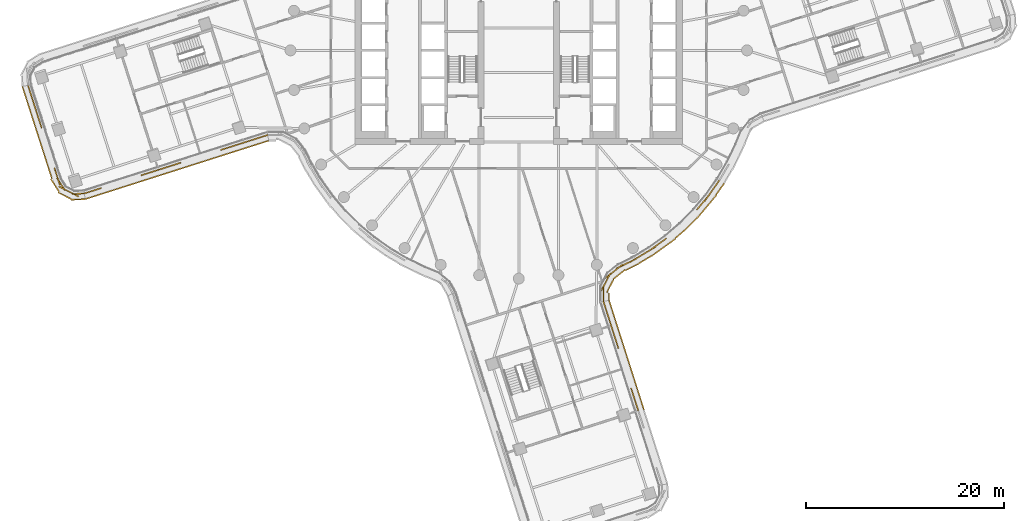
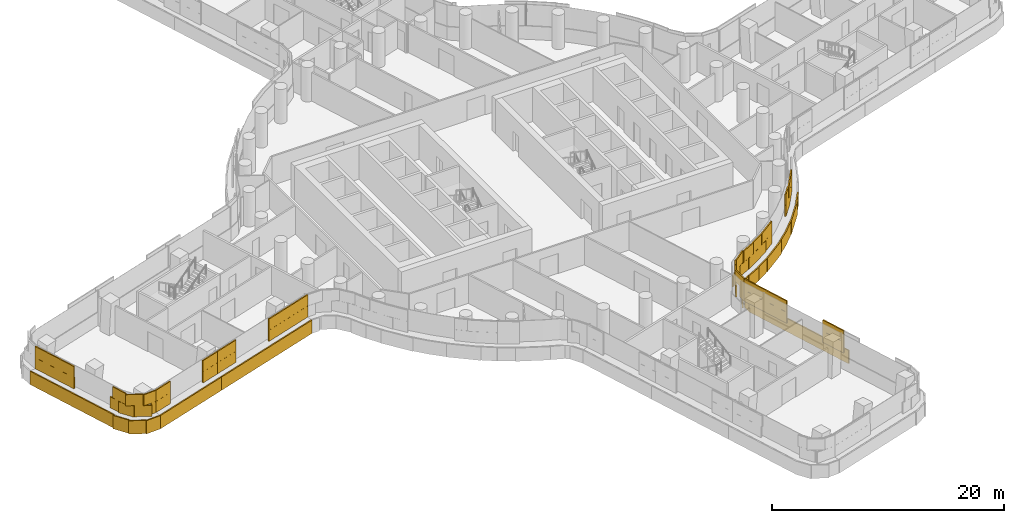
# One storey, part 25 of 30: 5 coverings.
"""IFC4 building model written with IfcOpenShell, lengths in metres."""

from ifc_helpers import new_model, si_unit, direction, frame, origin, origin_2d, place, context, subcontext, project, spatial, rectangle, extrude, material, layer, layer_set, type_object, element, save


model = new_model("IFC4")

# Units and contexts
model_context = context("Model", 3, precision=1e-05, world=origin(), true_north=direction((0.0, 1.0)))
body_context = subcontext(model_context, "Body", "Model", "MODEL_VIEW")
ifc_project = project(units=[si_unit("LENGTHUNIT", "METRE"), si_unit("AREAUNIT", "SQUARE_METRE"), si_unit("VOLUMEUNIT", "CUBIC_METRE"), si_unit("PLANEANGLEUNIT", "RADIAN"), si_unit("MASSUNIT", "GRAM", prefix="KILO")], contexts=[model_context])

# Site, building, storey
site_placement = place(None, origin())
site = spatial("IfcSite", under=ifc_project, at=site_placement, CompositionType="ELEMENT")
building_placement = place(site_placement, origin())
building = spatial("IfcBuilding", under=site, at=building_placement, Name="Tamarind Cross Interchange Tower", CompositionType="ELEMENT")
storey_placement = place(building_placement, frame((0.0, 0.0, 98.5)))
storey = spatial("IfcBuildingStorey", under=building, at=storey_placement, Name="L23", CompositionType="ELEMENT", Elevation=98.5)

# Coverings
ifc_material = material(Name="Terracotta", Category="masonry")
ifc_layer = layer(ifc_material, 0.1201171875)
ifc_layer_set = layer_set([ifc_layer], Name="Terracotta")
covering_type = type_object("IfcCoveringType", Name="Terracotta baguette screen unit", PredefinedType="MOLDING", material=ifc_layer_set)
covering_1_placement = place(storey_placement, origin())
element("IfcCovering", 1, at=covering_1_placement, inside=storey, type_object=covering_type, Name="SCR-L23-08-00", PredefinedType="MOLDING", context=body_context, shape_type="SweptSolid", body=[
    extrude(rectangle(XDim=0.760009765625, YDim=0.1201171875, at=origin_2d()), frame((-49.3388671875, -3.888427734375, 1.404052734375), z_axis=(0.0, 0.0, 1.0), x_axis=(0.305057113111, -0.95233405785, 0.0)), (0.0, 0.0, 1.0), 1.1669921875),
    extrude(rectangle(XDim=1.52001953125, YDim=0.1201171875, at=origin_2d()), frame((-48.99560546875, -4.959716796875, 1.404052734375), z_axis=(0.0, 0.0, 1.0), x_axis=(0.305057113111, -0.95233405785, 0.0)), (0.0, 0.0, 1.0), 1.1669921875),
    extrude(rectangle(XDim=1.52001953125, YDim=0.1201171875, at=origin_2d()), frame((-48.5380859375, -6.38818359375, 1.404052734375), z_axis=(0.0, 0.0, 1.0), x_axis=(0.305057113111, -0.95233405785, 0.0)), (0.0, 0.0, 1.0), 1.1669921875),
    extrude(rectangle(XDim=0.784912109375, YDim=0.1201171875, at=origin_2d()), frame((-48.191162109375, -7.471435546875, 1.404052734375), z_axis=(0.0, 0.0, 1.0), x_axis=(0.305057113111, -0.95233405785, 0.0)), (0.0, 0.0, 1.0), 1.1669921875),
    extrude(rectangle(XDim=1.03515625, YDim=0.1201171875, at=origin_2d()), frame((-46.63525390625, -12.328369140625, 1.404052734375), z_axis=(0.0, 0.0, 1.0), x_axis=(0.305057113111, -0.95233405785, 0.0)), (0.0, 0.0, 1.0), 1.1669921875),
    extrude(rectangle(XDim=1.52001953125, YDim=0.1201171875, at=origin_2d()), frame((-46.1376953125, -13.477783203125, 1.404052734375), z_axis=(0.0, 0.0, 1.0), x_axis=(0.541144735519, -0.840929471014, 0.0)), (0.0, 0.0, 1.0), 1.1669921875),
    extrude(rectangle(XDim=1.52001953125, YDim=0.1201171875, at=origin_2d()), frame((-45.010986328125, -14.392333984375, 1.404052734375), z_axis=(0.0, 0.0, 1.0), x_axis=(0.889109823591, -0.45769391693, 0.0)), (0.0, 0.0, 1.0), 1.1669921875),
    extrude(rectangle(XDim=0.509521484375, YDim=0.1201171875, at=origin_2d()), frame((-44.031982421875, -14.434326171875, 1.404052734375), z_axis=(0.0, 0.0, 1.0), x_axis=(0.998838652449, 0.048180352576, 0.0)), (0.0, 0.0, 1.0), 1.1669921875),
    extrude(rectangle(XDim=1.510009765625, YDim=0.1201171875, at=origin_2d()), frame((-49.224365234375, -4.24560546875, 2.5791015625), z_axis=(0.0, 0.0, 1.0), x_axis=(0.305057113111, -0.95233405785, 0.0)), (0.0, 0.0, 1.0), 1.1669921875),
    extrude(rectangle(XDim=1.52001953125, YDim=0.1201171875, at=origin_2d()), frame((-48.766845703125, -5.674072265625, 2.5791015625), z_axis=(0.0, 0.0, 1.0), x_axis=(0.305057113111, -0.95233405785, 0.0)), (0.0, 0.0, 1.0), 1.1669921875),
    extrude(rectangle(XDim=1.52001953125, YDim=0.1201171875, at=origin_2d()), frame((-48.309326171875, -7.1025390625, 2.5791015625), z_axis=(0.0, 0.0, 1.0), x_axis=(0.305057113111, -0.95233405785, 0.0)), (0.0, 0.0, 1.0), 1.1669921875),
    extrude(rectangle(XDim=1.52001953125, YDim=0.1201171875, at=origin_2d()), frame((-46.47900390625, -12.816650390625, 2.5791015625), z_axis=(0.0, 0.0, 1.0), x_axis=(0.305057113111, -0.95233405785, 0.0)), (0.0, 0.0, 1.0), 1.1669921875),
    extrude(rectangle(XDim=1.52001953125, YDim=0.1201171875, at=origin_2d()), frame((-45.677978515625, -14.049072265625, 2.5791015625), z_axis=(0.0, 0.0, 1.0), x_axis=(0.889109823591, -0.45769391693, 0.0)), (0.0, 0.0, 1.0), 1.1669921875),
    extrude(rectangle(XDim=1.259521484375, YDim=0.1201171875, at=origin_2d()), frame((-44.406494140625, -14.452392578125, 2.5791015625), z_axis=(0.0, 0.0, 1.0), x_axis=(0.998838652449, 0.048180352576, 0.0)), (0.0, 0.0, 1.0), 1.1669921875),
    extrude(rectangle(XDim=0.760009765625, YDim=0.1201171875, at=origin_2d()), frame((-49.906982421875, -3.996337890625, 0.00390625), z_axis=(0.0, 0.0, 1.0), x_axis=(0.305057113111, -0.95233405785, 0.0)), (0.0, 0.0, 1.0), 1.39208984375),
    extrude(rectangle(XDim=1.52001953125, YDim=0.1201171875, at=origin_2d()), frame((-49.5654296875, -5.06298828125, 0.00390625), z_axis=(0.0, 0.0, 1.0), x_axis=(0.305057113111, -0.95233405785, 0.0)), (0.0, 0.0, 1.0), 1.39208984375),
    extrude(rectangle(XDim=1.52001953125, YDim=0.1201171875, at=origin_2d()), frame((-49.10791015625, -6.491455078125, 0.00390625), z_axis=(0.0, 0.0, 1.0), x_axis=(0.305057113111, -0.95233405785, 0.0)), (0.0, 0.0, 1.0), 1.39208984375),
    extrude(rectangle(XDim=1.52001953125, YDim=0.1201171875, at=origin_2d()), frame((-48.650146484375, -7.919921875, 0.00390625), z_axis=(0.0, 0.0, 1.0), x_axis=(0.305057113111, -0.95233405785, 0.0)), (0.0, 0.0, 1.0), 1.39208984375),
    extrude(rectangle(XDim=1.52001953125, YDim=0.1201171875, at=origin_2d()), frame((-48.192626953125, -9.348388671875, 0.00390625), z_axis=(0.0, 0.0, 1.0), x_axis=(0.305057113111, -0.95233405785, 0.0)), (0.0, 0.0, 1.0), 1.39208984375),
    extrude(rectangle(XDim=1.52001953125, YDim=0.1201171875, at=origin_2d()), frame((-47.735107421875, -10.77685546875, 0.00390625), z_axis=(0.0, 0.0, 1.0), x_axis=(0.305057113111, -0.95233405785, 0.0)), (0.0, 0.0, 1.0), 1.39208984375),
    extrude(rectangle(XDim=1.52001953125, YDim=0.1201171875, at=origin_2d()), frame((-47.27734375, -12.205322265625, 0.00390625), z_axis=(0.0, 0.0, 1.0), x_axis=(0.305057113111, -0.95233405785, 0.0)), (0.0, 0.0, 1.0), 1.39208984375),
    extrude(rectangle(XDim=1.52001953125, YDim=0.1201171875, at=origin_2d()), frame((-46.7431640625, -13.59765625, 0.00390625), z_axis=(0.0, 0.0, 1.0), x_axis=(0.541144735519, -0.840929471014, 0.0)), (0.0, 0.0, 1.0), 1.39208984375),
    extrude(rectangle(XDim=1.52001953125, YDim=0.1201171875, at=origin_2d()), frame((-45.748779296875, -14.657958984375, 0.00390625), z_axis=(0.0, 0.0, 1.0), x_axis=(0.889109823591, -0.45769391693, 0.0)), (0.0, 0.0, 1.0), 1.39208984375),
    extrude(rectangle(XDim=1.4267578125, YDim=0.1201171875, at=origin_2d()), frame((-44.392333984375, -15.0263671875, 0.00390625), z_axis=(0.0, 0.0, 1.0), x_axis=(0.998838652449, 0.048180352576, 0.0)), (0.0, 0.0, 1.0), 1.39208984375),
])
covering_2_placement = place(storey_placement, origin())
element("IfcCovering", 2, at=covering_2_placement, inside=storey, type_object=covering_type, Name="SCR-L23-09-00", PredefinedType="MOLDING", context=body_context, shape_type="SweptSolid", body=[
    extrude(rectangle(XDim=0.760009765625, YDim=0.1201171875, at=origin_2d()), frame((-43.42529296875, -14.308349609375, 1.404052734375), z_axis=(0.0, 0.0, 1.0), x_axis=(0.952773264992, 0.303682573614, 0.0)), (0.0, 0.0, 1.0), 1.1669921875),
    extrude(rectangle(XDim=1.075439453125, YDim=0.1201171875, at=origin_2d()), frame((-42.560302734375, -14.03271484375, 1.404052734375), z_axis=(0.0, 0.0, 1.0), x_axis=(0.952773264992, 0.303682573614, 0.0)), (0.0, 0.0, 1.0), 1.1669921875),
    extrude(rectangle(XDim=0.744384765625, YDim=0.1201171875, at=origin_2d()), frame((-37.701171875, -12.484130859375, 1.404052734375), z_axis=(0.0, 0.0, 1.0), x_axis=(0.952773264992, 0.303682573614, 0.0)), (0.0, 0.0, 1.0), 1.1669921875),
    extrude(rectangle(XDim=1.091064453125, YDim=0.1201171875, at=origin_2d()), frame((-36.836181640625, -12.208251953125, 1.404052734375), z_axis=(0.0, 0.0, 1.0), x_axis=(0.952773264992, 0.303682573614, 0.0)), (0.0, 0.0, 1.0), 1.1669921875),
    extrude(rectangle(XDim=1.510009765625, YDim=0.1201171875, at=origin_2d()), frame((-43.06787109375, -14.194580078125, 2.5791015625), z_axis=(0.0, 0.0, 1.0), x_axis=(0.952773264992, 0.303682573614, 0.0)), (0.0, 0.0, 1.0), 1.1669921875),
    extrude(rectangle(XDim=0.325439453125, YDim=0.1201171875, at=origin_2d()), frame((-42.203125, -13.9189453125, 2.5791015625), z_axis=(0.0, 0.0, 1.0), x_axis=(0.952773264992, 0.303682573614, 0.0)), (0.0, 0.0, 1.0), 1.1669921875),
    extrude(rectangle(XDim=1.494384765625, YDim=0.1201171875, at=origin_2d()), frame((-37.343994140625, -12.3701171875, 2.5791015625), z_axis=(0.0, 0.0, 1.0), x_axis=(0.952773264992, 0.303682573614, 0.0)), (0.0, 0.0, 1.0), 1.1669921875),
    extrude(rectangle(XDim=0.341064453125, YDim=0.1201171875, at=origin_2d()), frame((-36.47900390625, -12.094482421875, 2.5791015625), z_axis=(0.0, 0.0, 1.0), x_axis=(0.952773264992, 0.303682573614, 0.0)), (0.0, 0.0, 1.0), 1.1669921875),
    extrude(rectangle(XDim=0.760009765625, YDim=0.1201171875, at=origin_2d()), frame((-43.317626953125, -14.876708984375, 0.00390625), z_axis=(0.0, 0.0, 1.0), x_axis=(0.952773264992, 0.303682573614, 0.0)), (0.0, 0.0, 1.0), 1.39208984375),
    extrude(rectangle(XDim=1.52001953125, YDim=0.1201171875, at=origin_2d()), frame((-42.25048828125, -14.53662109375, 0.00390625), z_axis=(0.0, 0.0, 1.0), x_axis=(0.952773264992, 0.303682573614, 0.0)), (0.0, 0.0, 1.0), 1.39208984375),
    extrude(rectangle(XDim=1.52001953125, YDim=0.1201171875, at=origin_2d()), frame((-40.821533203125, -14.0810546875, 0.00390625), z_axis=(0.0, 0.0, 1.0), x_axis=(0.952773264992, 0.303682573614, 0.0)), (0.0, 0.0, 1.0), 1.39208984375),
    extrude(rectangle(XDim=1.52001953125, YDim=0.1201171875, at=origin_2d()), frame((-39.392333984375, -13.62548828125, 0.00390625), z_axis=(0.0, 0.0, 1.0), x_axis=(0.952773264992, 0.303682573614, 0.0)), (0.0, 0.0, 1.0), 1.39208984375),
    extrude(rectangle(XDim=1.52001953125, YDim=0.1201171875, at=origin_2d()), frame((-37.963134765625, -13.169921875, 0.00390625), z_axis=(0.0, 0.0, 1.0), x_axis=(0.952773264992, 0.303682573614, 0.0)), (0.0, 0.0, 1.0), 1.39208984375),
    extrude(rectangle(XDim=1.085205078125, YDim=0.1201171875, at=origin_2d()), frame((-36.740966796875, -12.780517578125, 0.00390625), z_axis=(0.0, 0.0, 1.0), x_axis=(0.952773264992, 0.303682573614, 0.0)), (0.0, 0.0, 1.0), 1.39208984375),
])
covering_3_placement = place(storey_placement, origin())
element("IfcCovering", 3, at=covering_3_placement, inside=storey, type_object=covering_type, Name="SCR-L23-09-01", PredefinedType="MOLDING", context=body_context, shape_type="SweptSolid", body=[
    extrude(rectangle(XDim=0.428955078125, YDim=0.1201171875, at=origin_2d()), frame((-36.121826171875, -11.98046875, 1.404052734375), z_axis=(0.0, 0.0, 1.0), x_axis=(0.952773264992, 0.303682573614, 0.0)), (0.0, 0.0, 1.0), 1.1669921875),
    extrude(rectangle(XDim=1.52001953125, YDim=0.1201171875, at=origin_2d()), frame((-35.20751953125, -11.689208984375, 1.404052734375), z_axis=(0.0, 0.0, 1.0), x_axis=(0.952773264992, 0.303682573614, 0.0)), (0.0, 0.0, 1.0), 1.1669921875),
    extrude(rectangle(XDim=0.490478515625, YDim=0.1201171875, at=origin_2d()), frame((-34.26416015625, -11.388427734375, 1.404052734375), z_axis=(0.0, 0.0, 1.0), x_axis=(0.952773264992, 0.303682573614, 0.0)), (0.0, 0.0, 1.0), 1.1669921875),
    extrude(rectangle(XDim=1.32958984375, YDim=0.1201171875, at=origin_2d()), frame((-29.40478515625, -9.839599609375, 1.404052734375), z_axis=(0.0, 0.0, 1.0), x_axis=(0.952773264992, 0.303682573614, 0.0)), (0.0, 0.0, 1.0), 1.1669921875),
    extrude(rectangle(XDim=1.52001953125, YDim=0.1201171875, at=origin_2d()), frame((-28.061767578125, -9.41162109375, 1.404052734375), z_axis=(0.0, 0.0, 1.0), x_axis=(0.952773264992, 0.303682573614, 0.0)), (0.0, 0.0, 1.0), 1.1669921875),
    extrude(rectangle(XDim=1.52001953125, YDim=0.1201171875, at=origin_2d()), frame((-26.632568359375, -8.9560546875, 1.404052734375), z_axis=(0.0, 0.0, 1.0), x_axis=(0.952773264992, 0.303682573614, 0.0)), (0.0, 0.0, 1.0), 1.1669921875),
    extrude(rectangle(XDim=0.67138671875, YDim=0.1201171875, at=origin_2d()), frame((-25.602783203125, -8.6279296875, 1.404052734375), z_axis=(0.0, 0.0, 1.0), x_axis=(0.952773264992, 0.303682573614, 0.0)), (0.0, 0.0, 1.0), 1.1669921875),
    extrude(rectangle(XDim=1.178955078125, YDim=0.1201171875, at=origin_2d()), frame((-35.764404296875, -11.86669921875, 2.5791015625), z_axis=(0.0, 0.0, 1.0), x_axis=(0.952773264992, 0.303682573614, 0.0)), (0.0, 0.0, 1.0), 1.1669921875),
    extrude(rectangle(XDim=1.240478515625, YDim=0.1201171875, at=origin_2d()), frame((-34.621337890625, -11.50244140625, 2.5791015625), z_axis=(0.0, 0.0, 1.0), x_axis=(0.952773264992, 0.303682573614, 0.0)), (0.0, 0.0, 1.0), 1.1669921875),
    extrude(rectangle(XDim=0.57958984375, YDim=0.1201171875, at=origin_2d()), frame((-29.76220703125, -9.95361328125, 2.5791015625), z_axis=(0.0, 0.0, 1.0), x_axis=(0.952773264992, 0.303682573614, 0.0)), (0.0, 0.0, 1.0), 1.1669921875),
    extrude(rectangle(XDim=1.52001953125, YDim=0.1201171875, at=origin_2d()), frame((-28.7763671875, -9.639404296875, 2.5791015625), z_axis=(0.0, 0.0, 1.0), x_axis=(0.952773264992, 0.303682573614, 0.0)), (0.0, 0.0, 1.0), 1.1669921875),
    extrude(rectangle(XDim=1.52001953125, YDim=0.1201171875, at=origin_2d()), frame((-27.34716796875, -9.183837890625, 2.5791015625), z_axis=(0.0, 0.0, 1.0), x_axis=(0.952773264992, 0.303682573614, 0.0)), (0.0, 0.0, 1.0), 1.1669921875),
    extrude(rectangle(XDim=1.42138671875, YDim=0.1201171875, at=origin_2d()), frame((-25.960205078125, -8.74169921875, 2.5791015625), z_axis=(0.0, 0.0, 1.0), x_axis=(0.952773264992, 0.303682573614, 0.0)), (0.0, 0.0, 1.0), 1.1669921875),
    extrude(rectangle(XDim=0.434814453125, YDim=0.1201171875, at=origin_2d()), frame((-36.016845703125, -12.549560546875, 0.00390625), z_axis=(0.0, 0.0, 1.0), x_axis=(0.952773264992, 0.303682573614, 0.0)), (0.0, 0.0, 1.0), 1.39208984375),
    extrude(rectangle(XDim=1.52001953125, YDim=0.1201171875, at=origin_2d()), frame((-35.104736328125, -12.2587890625, 0.00390625), z_axis=(0.0, 0.0, 1.0), x_axis=(0.952773264992, 0.303682573614, 0.0)), (0.0, 0.0, 1.0), 1.39208984375),
    extrude(rectangle(XDim=1.52001953125, YDim=0.1201171875, at=origin_2d()), frame((-33.675537109375, -11.803466796875, 0.00390625), z_axis=(0.0, 0.0, 1.0), x_axis=(0.952773264992, 0.303682573614, 0.0)), (0.0, 0.0, 1.0), 1.39208984375),
    extrude(rectangle(XDim=1.52001953125, YDim=0.1201171875, at=origin_2d()), frame((-32.24658203125, -11.347900390625, 0.00390625), z_axis=(0.0, 0.0, 1.0), x_axis=(0.952773264992, 0.303682573614, 0.0)), (0.0, 0.0, 1.0), 1.39208984375),
    extrude(rectangle(XDim=1.52001953125, YDim=0.1201171875, at=origin_2d()), frame((-30.8173828125, -10.892333984375, 0.00390625), z_axis=(0.0, 0.0, 1.0), x_axis=(0.952773264992, 0.303682573614, 0.0)), (0.0, 0.0, 1.0), 1.39208984375),
    extrude(rectangle(XDim=1.52001953125, YDim=0.1201171875, at=origin_2d()), frame((-29.38818359375, -10.436767578125, 0.00390625), z_axis=(0.0, 0.0, 1.0), x_axis=(0.952773264992, 0.303682573614, 0.0)), (0.0, 0.0, 1.0), 1.39208984375),
    extrude(rectangle(XDim=1.52001953125, YDim=0.1201171875, at=origin_2d()), frame((-27.958984375, -9.981201171875, 0.00390625), z_axis=(0.0, 0.0, 1.0), x_axis=(0.952773264992, 0.303682573614, 0.0)), (0.0, 0.0, 1.0), 1.39208984375),
    extrude(rectangle(XDim=1.52001953125, YDim=0.1201171875, at=origin_2d()), frame((-26.52978515625, -9.52587890625, 0.00390625), z_axis=(0.0, 0.0, 1.0), x_axis=(0.952773264992, 0.303682573614, 0.0)), (0.0, 0.0, 1.0), 1.39208984375),
    extrude(rectangle(XDim=0.657470703125, YDim=0.1201171875, at=origin_2d()), frame((-25.51171875, -9.201171875, 0.00390625), z_axis=(0.0, 0.0, 1.0), x_axis=(0.952773264992, 0.303682573614, 0.0)), (0.0, 0.0, 1.0), 1.39208984375),
])
covering_4_placement = place(storey_placement, origin())
element("IfcCovering", 4, at=covering_4_placement, inside=storey, type_object=covering_type, Name="SCR-L23-13-01", PredefinedType="MOLDING", context=body_context, shape_type="SweptSolid", body=[
    extrude(rectangle(XDim=0.428955078125, YDim=0.1201171875, at=origin_2d()), frame((11.98046875, -36.121826171875, 1.404052734375), z_axis=(0.0, 0.0, 1.0), x_axis=(-0.303682573614, 0.952773264992, 0.0)), (0.0, 0.0, 1.0), 1.1669921875),
    extrude(rectangle(XDim=1.52001953125, YDim=0.1201171875, at=origin_2d()), frame((11.689208984375, -35.20751953125, 1.404052734375), z_axis=(0.0, 0.0, 1.0), x_axis=(-0.303682573614, 0.952773264992, 0.0)), (0.0, 0.0, 1.0), 1.1669921875),
    extrude(rectangle(XDim=0.490478515625, YDim=0.1201171875, at=origin_2d()), frame((11.388427734375, -34.26416015625, 1.404052734375), z_axis=(0.0, 0.0, 1.0), x_axis=(-0.303682573614, 0.952773264992, 0.0)), (0.0, 0.0, 1.0), 1.1669921875),
    extrude(rectangle(XDim=1.32958984375, YDim=0.1201171875, at=origin_2d()), frame((9.839599609375, -29.40478515625, 1.404052734375), z_axis=(0.0, 0.0, 1.0), x_axis=(-0.303682573614, 0.952773264992, 0.0)), (0.0, 0.0, 1.0), 1.1669921875),
    extrude(rectangle(XDim=1.52001953125, YDim=0.1201171875, at=origin_2d()), frame((9.41162109375, -28.061767578125, 1.404052734375), z_axis=(0.0, 0.0, 1.0), x_axis=(-0.303682573614, 0.952773264992, 0.0)), (0.0, 0.0, 1.0), 1.1669921875),
    extrude(rectangle(XDim=1.52001953125, YDim=0.1201171875, at=origin_2d()), frame((8.9560546875, -26.632568359375, 1.404052734375), z_axis=(0.0, 0.0, 1.0), x_axis=(-0.303682573614, 0.952773264992, 0.0)), (0.0, 0.0, 1.0), 1.1669921875),
    extrude(rectangle(XDim=0.67138671875, YDim=0.1201171875, at=origin_2d()), frame((8.6279296875, -25.602783203125, 1.404052734375), z_axis=(0.0, 0.0, 1.0), x_axis=(-0.303682573614, 0.952773264992, 0.0)), (0.0, 0.0, 1.0), 1.1669921875),
    extrude(rectangle(XDim=1.178955078125, YDim=0.1201171875, at=origin_2d()), frame((11.86669921875, -35.764404296875, 2.5791015625), z_axis=(0.0, 0.0, 1.0), x_axis=(-0.303682573614, 0.952773264992, 0.0)), (0.0, 0.0, 1.0), 1.1669921875),
    extrude(rectangle(XDim=1.240478515625, YDim=0.1201171875, at=origin_2d()), frame((11.50244140625, -34.621337890625, 2.5791015625), z_axis=(0.0, 0.0, 1.0), x_axis=(-0.303682573614, 0.952773264992, 0.0)), (0.0, 0.0, 1.0), 1.1669921875),
    extrude(rectangle(XDim=0.57958984375, YDim=0.1201171875, at=origin_2d()), frame((9.95361328125, -29.76220703125, 2.5791015625), z_axis=(0.0, 0.0, 1.0), x_axis=(-0.303682573614, 0.952773264992, 0.0)), (0.0, 0.0, 1.0), 1.1669921875),
    extrude(rectangle(XDim=1.52001953125, YDim=0.1201171875, at=origin_2d()), frame((9.639404296875, -28.7763671875, 2.5791015625), z_axis=(0.0, 0.0, 1.0), x_axis=(-0.303682573614, 0.952773264992, 0.0)), (0.0, 0.0, 1.0), 1.1669921875),
    extrude(rectangle(XDim=1.52001953125, YDim=0.1201171875, at=origin_2d()), frame((9.183837890625, -27.34716796875, 2.5791015625), z_axis=(0.0, 0.0, 1.0), x_axis=(-0.303682573614, 0.952773264992, 0.0)), (0.0, 0.0, 1.0), 1.1669921875),
    extrude(rectangle(XDim=1.42138671875, YDim=0.1201171875, at=origin_2d()), frame((8.74169921875, -25.960205078125, 2.5791015625), z_axis=(0.0, 0.0, 1.0), x_axis=(-0.303682573614, 0.952773264992, 0.0)), (0.0, 0.0, 1.0), 1.1669921875),
    extrude(rectangle(XDim=0.434814453125, YDim=0.1201171875, at=origin_2d()), frame((12.549560546875, -36.016845703125, 0.00390625), z_axis=(0.0, 0.0, 1.0), x_axis=(-0.303682573614, 0.952773264992, 0.0)), (0.0, 0.0, 1.0), 1.39208984375),
    extrude(rectangle(XDim=1.52001953125, YDim=0.1201171875, at=origin_2d()), frame((12.2587890625, -35.104736328125, 0.00390625), z_axis=(0.0, 0.0, 1.0), x_axis=(-0.303682573614, 0.952773264992, 0.0)), (0.0, 0.0, 1.0), 1.39208984375),
    extrude(rectangle(XDim=1.52001953125, YDim=0.1201171875, at=origin_2d()), frame((11.803466796875, -33.675537109375, 0.00390625), z_axis=(0.0, 0.0, 1.0), x_axis=(-0.303682573614, 0.952773264992, 0.0)), (0.0, 0.0, 1.0), 1.39208984375),
    extrude(rectangle(XDim=1.52001953125, YDim=0.1201171875, at=origin_2d()), frame((11.347900390625, -32.24658203125, 0.00390625), z_axis=(0.0, 0.0, 1.0), x_axis=(-0.303682573614, 0.952773264992, 0.0)), (0.0, 0.0, 1.0), 1.39208984375),
    extrude(rectangle(XDim=1.52001953125, YDim=0.1201171875, at=origin_2d()), frame((10.892333984375, -30.8173828125, 0.00390625), z_axis=(0.0, 0.0, 1.0), x_axis=(-0.303682573614, 0.952773264992, 0.0)), (0.0, 0.0, 1.0), 1.39208984375),
    extrude(rectangle(XDim=1.52001953125, YDim=0.1201171875, at=origin_2d()), frame((10.436767578125, -29.38818359375, 0.00390625), z_axis=(0.0, 0.0, 1.0), x_axis=(-0.303682573614, 0.952773264992, 0.0)), (0.0, 0.0, 1.0), 1.39208984375),
    extrude(rectangle(XDim=1.52001953125, YDim=0.1201171875, at=origin_2d()), frame((9.981201171875, -27.958984375, 0.00390625), z_axis=(0.0, 0.0, 1.0), x_axis=(-0.303682573614, 0.952773264992, 0.0)), (0.0, 0.0, 1.0), 1.39208984375),
    extrude(rectangle(XDim=1.52001953125, YDim=0.1201171875, at=origin_2d()), frame((9.52587890625, -26.52978515625, 0.00390625), z_axis=(0.0, 0.0, 1.0), x_axis=(-0.303682573614, 0.952773264992, 0.0)), (0.0, 0.0, 1.0), 1.39208984375),
    extrude(rectangle(XDim=0.657470703125, YDim=0.1201171875, at=origin_2d()), frame((9.201171875, -25.51171875, 0.00390625), z_axis=(0.0, 0.0, 1.0), x_axis=(-0.303682573614, 0.952773264992, 0.0)), (0.0, 0.0, 1.0), 1.39208984375),
])
covering_5_placement = place(storey_placement, origin())
element("IfcCovering", 5, at=covering_5_placement, inside=storey, type_object=covering_type, Name="SCR-L23-14-00", PredefinedType="MOLDING", context=body_context, shape_type="SweptSolid", body=[
    extrude(rectangle(XDim=0.760009765625, YDim=0.1201171875, at=origin_2d()), frame((8.52734375, -24.912841796875, 1.404052734375), z_axis=(0.0, 0.0, 1.0), x_axis=(0.000125567468, 0.999999992116, 0.0)), (0.0, 0.0, 1.0), 1.1669921875),
    extrude(rectangle(XDim=1.52001953125, YDim=0.1201171875, at=origin_2d()), frame((8.539794921875, -23.790771484375, 1.404052734375), z_axis=(0.0, 0.0, 1.0), x_axis=(0.463309652578, 0.886196460063, 0.0)), (0.0, 0.0, 1.0), 1.1669921875),
    extrude(rectangle(XDim=1.52001953125, YDim=0.1201171875, at=origin_2d()), frame((9.291259765625, -22.50830078125, 1.404052734375), z_axis=(0.0, 0.0, 1.0), x_axis=(0.783408467648, 0.621507178412, 0.0)), (0.0, 0.0, 1.0), 1.1669921875),
    extrude(rectangle(XDim=1.52001953125, YDim=0.1201171875, at=origin_2d()), frame((10.51318359375, -21.649658203125, 1.404052734375), z_axis=(0.0, 0.0, 1.0), x_axis=(0.896011305856, 0.444031237389, 0.0)), (0.0, 0.0, 1.0), 1.1669921875),
    extrude(rectangle(XDim=1.52001953125, YDim=0.1201171875, at=origin_2d()), frame((11.843994140625, -20.95947265625, 1.404052734375), z_axis=(0.0, 0.0, 1.0), x_axis=(0.856843065292, 0.515577308909, 0.0)), (0.0, 0.0, 1.0), 1.1669921875),
    extrude(rectangle(XDim=1.52001953125, YDim=0.1201171875, at=origin_2d()), frame((13.129150390625, -20.18603515625, 1.404052734375), z_axis=(0.0, 0.0, 1.0), x_axis=(0.856843065292, 0.515577308909, 0.0)), (0.0, 0.0, 1.0), 1.1669921875),
    extrude(rectangle(XDim=1.400390625, YDim=0.1201171875, at=origin_2d()), frame((14.30859375, -19.351806640625, 1.404052734375), z_axis=(0.0, 0.0, 1.0), x_axis=(0.811340475102, 0.584573890505, 0.0)), (0.0, 0.0, 1.0), 1.1669921875),
    extrude(rectangle(XDim=0.419677734375, YDim=0.1201171875, at=origin_2d()), frame((18.060791015625, -15.9150390625, 1.404052734375), z_axis=(0.0, 0.0, 1.0), x_axis=(0.643009266048, 0.765858396687, 0.0)), (0.0, 0.0, 1.0), 1.1669921875),
    extrude(rectangle(XDim=1.52001953125, YDim=0.1201171875, at=origin_2d()), frame((18.674560546875, -15.183837890625, 1.404052734375), z_axis=(0.0, 0.0, 1.0), x_axis=(0.643009266048, 0.765858396687, 0.0)), (0.0, 0.0, 1.0), 1.1669921875),
    extrude(rectangle(XDim=1.52001953125, YDim=0.1201171875, at=origin_2d()), frame((19.581298828125, -13.990478515625, 1.404052734375), z_axis=(0.0, 0.0, 1.0), x_axis=(0.577568978284, 0.816341886298, 0.0)), (0.0, 0.0, 1.0), 1.1669921875),
    extrude(rectangle(XDim=0.3505859375, YDim=0.1201171875, at=origin_2d()), frame((20.11279296875, -13.239013671875, 1.404052734375), z_axis=(0.0, 0.0, 1.0), x_axis=(0.577568978284, 0.816341886298, 0.0)), (0.0, 0.0, 1.0), 1.1669921875),
    extrude(rectangle(XDim=1.510009765625, YDim=0.1201171875, at=origin_2d()), frame((8.527587890625, -24.537841796875, 2.5791015625), z_axis=(0.0, 0.0, 1.0), x_axis=(0.000125567468, 0.999999992116, 0.0)), (0.0, 0.0, 1.0), 1.1669921875),
    extrude(rectangle(XDim=1.52001953125, YDim=0.1201171875, at=origin_2d()), frame((8.88720703125, -23.1259765625, 2.5791015625), z_axis=(0.0, 0.0, 1.0), x_axis=(0.463309652578, 0.886196460063, 0.0)), (0.0, 0.0, 1.0), 1.1669921875),
    extrude(rectangle(XDim=1.52001953125, YDim=0.1201171875, at=origin_2d()), frame((9.878662109375, -22.0419921875, 2.5791015625), z_axis=(0.0, 0.0, 1.0), x_axis=(0.783408467648, 0.621507178412, 0.0)), (0.0, 0.0, 1.0), 1.1669921875),
    extrude(rectangle(XDim=1.52001953125, YDim=0.1201171875, at=origin_2d()), frame((11.18505859375, -21.316650390625, 2.5791015625), z_axis=(0.0, 0.0, 1.0), x_axis=(0.896011305856, 0.444031237389, 0.0)), (0.0, 0.0, 1.0), 1.1669921875),
    extrude(rectangle(XDim=1.52001953125, YDim=0.1201171875, at=origin_2d()), frame((12.486572265625, -20.57275390625, 2.5791015625), z_axis=(0.0, 0.0, 1.0), x_axis=(0.856843065292, 0.515577308909, 0.0)), (0.0, 0.0, 1.0), 1.1669921875),
    extrude(rectangle(XDim=1.52001953125, YDim=0.1201171875, at=origin_2d()), frame((13.74462890625, -19.75830078125, 2.5791015625), z_axis=(0.0, 0.0, 1.0), x_axis=(0.811340475102, 0.584573890505, 0.0)), (0.0, 0.0, 1.0), 1.1669921875),
    extrude(rectangle(XDim=0.650390625, YDim=0.1201171875, at=origin_2d()), frame((14.613037109375, -19.132568359375, 2.5791015625), z_axis=(0.0, 0.0, 1.0), x_axis=(0.811340475102, 0.584573890505, 0.0)), (0.0, 0.0, 1.0), 1.1669921875),
    extrude(rectangle(XDim=1.169677734375, YDim=0.1201171875, at=origin_2d()), frame((18.3017578125, -15.6279296875, 2.5791015625), z_axis=(0.0, 0.0, 1.0), x_axis=(0.643009266048, 0.765858396687, 0.0)), (0.0, 0.0, 1.0), 1.1669921875),
    extrude(rectangle(XDim=1.52001953125, YDim=0.1201171875, at=origin_2d()), frame((19.148193359375, -14.6025390625, 2.5791015625), z_axis=(0.0, 0.0, 1.0), x_axis=(0.577568978284, 0.816341886298, 0.0)), (0.0, 0.0, 1.0), 1.1669921875),
    extrude(rectangle(XDim=1.1005859375, YDim=0.1201171875, at=origin_2d()), frame((19.896240234375, -13.545166015625, 2.5791015625), z_axis=(0.0, 0.0, 1.0), x_axis=(0.577568978284, 0.816341886298, 0.0)), (0.0, 0.0, 1.0), 1.1669921875),
    extrude(rectangle(XDim=0.760009765625, YDim=0.1201171875, at=origin_2d()), frame((9.1015625, -24.818603515625, 0.00390625), z_axis=(0.0, 0.0, 1.0), x_axis=(0.000125567468, 0.999999992116, 0.0)), (0.0, 0.0, 1.0), 1.39208984375),
    extrude(rectangle(XDim=1.52001953125, YDim=0.1201171875, at=origin_2d()), frame((9.220458984375, -23.727783203125, 0.00390625), z_axis=(0.0, 0.0, 1.0), x_axis=(0.463309652578, 0.886196460063, 0.0)), (0.0, 0.0, 1.0), 1.39208984375),
    extrude(rectangle(XDim=1.52001953125, YDim=0.1201171875, at=origin_2d()), frame((10.129638671875, -22.57568359375, 0.00390625), z_axis=(0.0, 0.0, 1.0), x_axis=(0.783408467648, 0.621507178412, 0.0)), (0.0, 0.0, 1.0), 1.39208984375),
    extrude(rectangle(XDim=1.52001953125, YDim=0.1201171875, at=origin_2d()), frame((11.427734375, -21.837158203125, 0.00390625), z_axis=(0.0, 0.0, 1.0), x_axis=(0.896011305856, 0.444031237389, 0.0)), (0.0, 0.0, 1.0), 1.39208984375),
    extrude(rectangle(XDim=1.52001953125, YDim=0.1201171875, at=origin_2d()), frame((12.73046875, -21.095947265625, 0.00390625), z_axis=(0.0, 0.0, 1.0), x_axis=(0.856843065292, 0.515577308909, 0.0)), (0.0, 0.0, 1.0), 1.39208984375),
    extrude(rectangle(XDim=1.52001953125, YDim=0.1201171875, at=origin_2d()), frame((13.992431640625, -20.287109375, 0.00390625), z_axis=(0.0, 0.0, 1.0), x_axis=(0.811340475102, 0.584573890505, 0.0)), (0.0, 0.0, 1.0), 1.39208984375),
    extrude(rectangle(XDim=1.52001953125, YDim=0.1201171875, at=origin_2d()), frame((15.20947265625, -19.410400390625, 0.00390625), z_axis=(0.0, 0.0, 1.0), x_axis=(0.811340475102, 0.584573890505, 0.0)), (0.0, 0.0, 1.0), 1.39208984375),
    extrude(rectangle(XDim=1.52001953125, YDim=0.1201171875, at=origin_2d()), frame((16.351318359375, -18.4375, 0.00390625), z_axis=(0.0, 0.0, 1.0), x_axis=(0.760295606781, 0.64957723968, 0.0)), (0.0, 0.0, 1.0), 1.39208984375),
    extrude(rectangle(XDim=1.52001953125, YDim=0.1201171875, at=origin_2d()), frame((17.439208984375, -17.406494140625, 0.00390625), z_axis=(0.0, 0.0, 1.0), x_axis=(0.704057148523, 0.710143317658, 0.0)), (0.0, 0.0, 1.0), 1.39208984375),
    extrude(rectangle(XDim=1.52001953125, YDim=0.1201171875, at=origin_2d()), frame((18.470947265625, -16.319091796875, 0.00390625), z_axis=(0.0, 0.0, 1.0), x_axis=(0.643009266048, 0.765858396687, 0.0)), (0.0, 0.0, 1.0), 1.39208984375),
    extrude(rectangle(XDim=1.52001953125, YDim=0.1201171875, at=origin_2d()), frame((19.435302734375, -15.17041015625, 0.00390625), z_axis=(0.0, 0.0, 1.0), x_axis=(0.643009266048, 0.765858396687, 0.0)), (0.0, 0.0, 1.0), 1.39208984375),
    extrude(rectangle(XDim=1.422119140625, YDim=0.1201171875, at=origin_2d()), frame((20.28271484375, -13.992919921875, 0.00390625), z_axis=(0.0, 0.0, 1.0), x_axis=(0.577568978284, 0.816341886298, 0.0)), (0.0, 0.0, 1.0), 1.39208984375),
])

save(model, "model.ifc")
